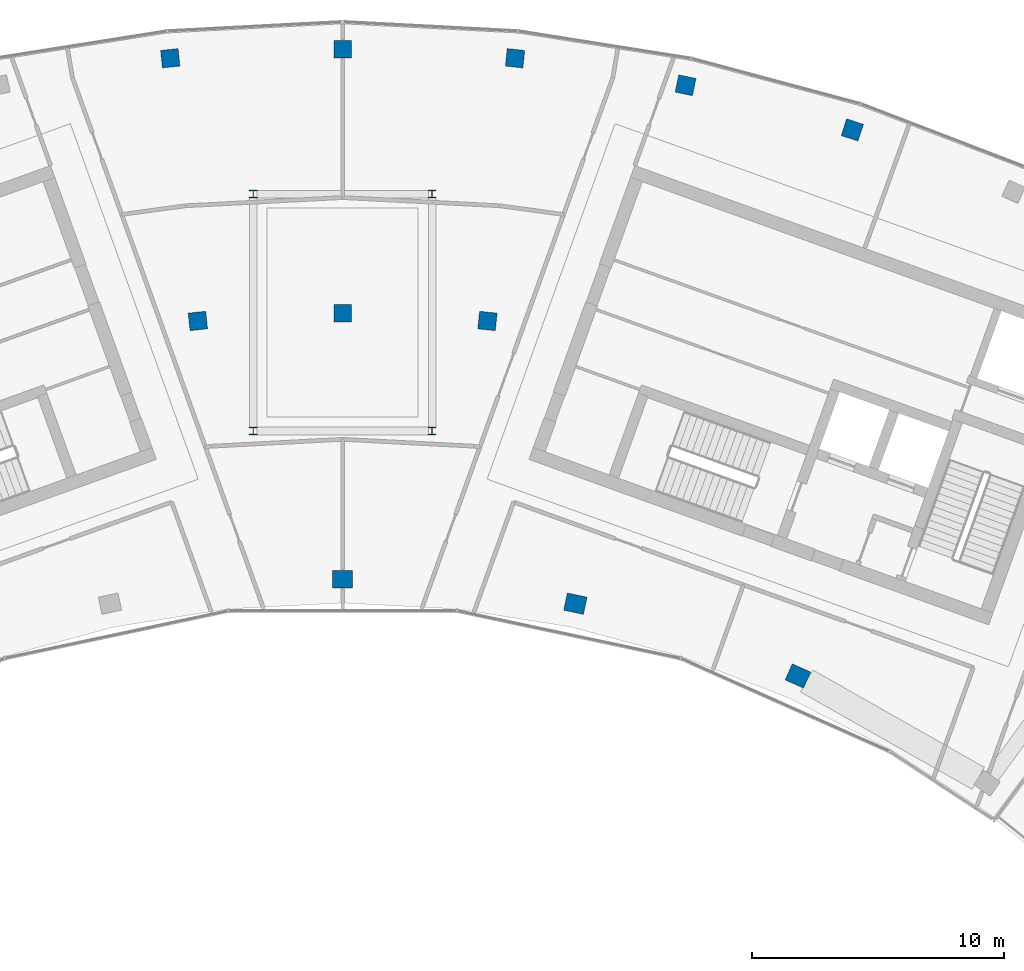
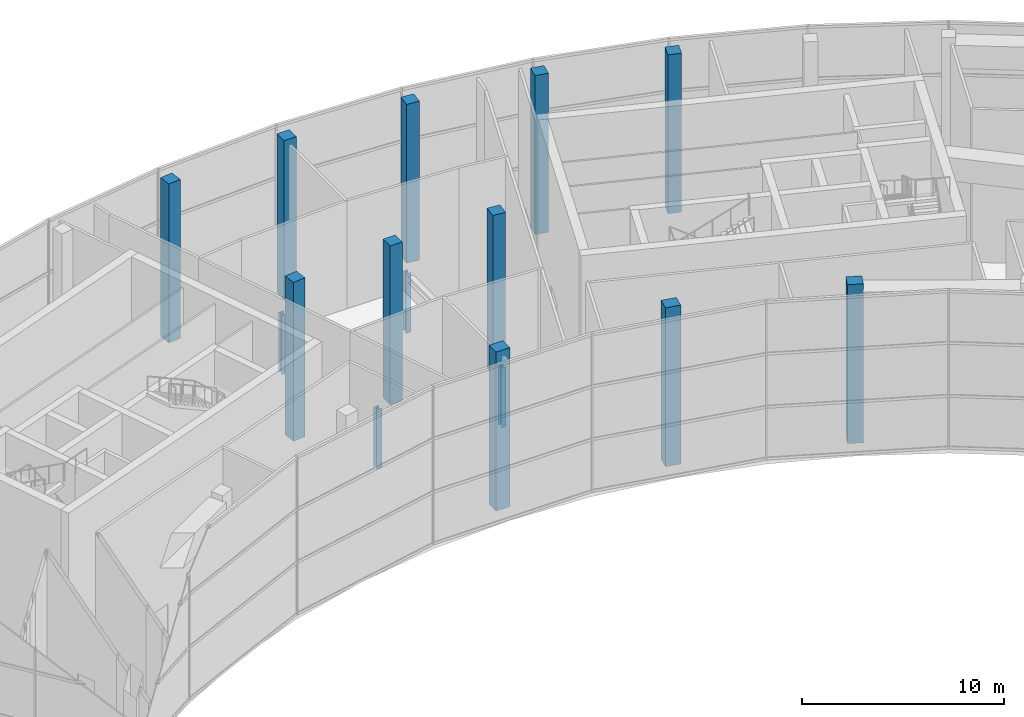
# One storey, part 2 of 20: 15 columns.
"""IFC4 building model written with IfcOpenShell, lengths in metres."""

from ifc_helpers import new_model, si_unit, direction, frame, origin, origin_2d, place, context, subcontext, project, spatial, rectangle, i_section, extrude, material, material_profile, profile_set, type_object, element, save


model = new_model("IFC4")

# Units and contexts
model_context = context("Model", 3, precision=1e-05, world=origin(), true_north=direction((0.0, 1.0)))
body_context = subcontext(model_context, "Body", "Model", "MODEL_VIEW")
ifc_project = project(units=[si_unit("LENGTHUNIT", "METRE"), si_unit("AREAUNIT", "SQUARE_METRE"), si_unit("VOLUMEUNIT", "CUBIC_METRE"), si_unit("PLANEANGLEUNIT", "RADIAN"), si_unit("MASSUNIT", "GRAM", prefix="KILO")], contexts=[model_context])

# Site, building, storey
site_placement = place(None, origin())
site = spatial("IfcSite", under=ifc_project, at=site_placement, CompositionType="ELEMENT")
building_placement = place(site_placement, origin())
building = spatial("IfcBuilding", under=site, at=building_placement, Name="Stone Belt Terrace Tower", CompositionType="ELEMENT")
storey_placement = place(building_placement, frame((0.0, 0.0, 323.0)))
storey = spatial("IfcBuildingStorey", under=building, at=storey_placement, Name="L78", CompositionType="ELEMENT", Elevation=323.0)

# Columns
ifc_material_1 = material(Name="Concrete B60", Category="concrete")
ifc_material_profile_1 = material_profile(ifc_material_1, rectangle(XDim=0.699951171875, YDim=0.699951171875, at=origin_2d()), Name="RC 700x700")
ifc_profile_set_1 = profile_set([ifc_material_profile_1], Name="Concrete B60")
column_type_1 = type_object("IfcColumnType", Name="Column RC 700x700 B60", PredefinedType="COLUMN", material=ifc_profile_set_1)
for number, where, z_axis, x_axis, name in (
    (1, (-5.7490234375, 54.69873046875, 0.0), (0.0, 0.0, 1.0), (0.994521895368, 0.104528463268, 0.0), "Column L78 Q21"),
    (2, (0.0, 55.0, 0.0), (0.0, 0.0, 1.0), (1.0, 0.0, 0.0), "Column L78 Q22"),
    (3, (5.7490234375, 54.69873046875, 0.0), (0.0, 0.0, 1.0), (0.994521895368, -0.104528463268, 0.0), "Column L78 Q23"),
    (4, (-6.845458984375, 65.130126953125, 0.0), (0.0, 0.0, 1.0), (0.994521895368, 0.104528463268, 0.0), "Column L78 R21"),
    (5, (0.0, 65.489013671875, 0.0), (0.0, 0.0, 1.0), (1.0, 0.0, 0.0), "Column L78 R22"),
    (6, (6.845458984375, 65.130126953125, 0.0), (0.0, 0.0, 1.0), (0.994521895368, -0.104528463268, 0.0), "Column L78 R23"),
    (7, (13.615966796875, 64.057861328125, 0.0), (0.0, 0.0, 1.0), (0.978147600734, -0.207911690818, 0.0), "Column L78 R24"),
    (8, (20.2373046875, 62.28369140625, 0.0), (0.0, 0.0, 1.0), (0.951056516295, -0.309016994375, 0.0), "Column L78 R25"),
):
    element("IfcColumn", number, at=place(storey_placement, frame(where, z_axis=z_axis, x_axis=x_axis)), inside=storey, type_object=column_type_1, Name=name, PredefinedType="COLUMN", context=body_context, shape_type="SweptSolid", body=[
        extrude(rectangle(XDim=0.699951171875, YDim=0.699951171875, at=origin_2d()), origin(), (0.0, 0.0, 1.0), 9.60009765625),
    ])
ifc_material_profile_2 = material_profile(ifc_material_1, rectangle(XDim=0.800048828125, YDim=0.699951171875, at=origin_2d()), Name="RC 800x700")
ifc_profile_set_2 = profile_set([ifc_material_profile_2], Name="Concrete B60")
column_type_2 = type_object("IfcColumnType", Name="Column RC 800x700 B60", PredefinedType="COLUMN", material=ifc_profile_set_2)
for number, where, z_axis, x_axis, name in (
    (9, (0.0, 44.445068359375, 0.0), (0.0, 0.0, 1.0), (1.0, 0.0, 0.0), "Column L78 P22"),
    (10, (9.240478515625, 43.473876953125, 0.0), (0.0, 0.0, 1.0), (0.978147600734, -0.207911690818, 0.0), "Column L78 P24"),
    (11, (18.077392578125, 40.6025390625, 0.0), (0.0, 0.0, 1.0), (0.913545457643, -0.406736643076, 0.0), "Column L78 P26"),
):
    element("IfcColumn", number, at=place(storey_placement, frame(where, z_axis=z_axis, x_axis=x_axis)), inside=storey, type_object=column_type_2, Name=name, PredefinedType="COLUMN", context=body_context, shape_type="SweptSolid", body=[
        extrude(rectangle(XDim=0.800048828125, YDim=0.699951171875, at=origin_2d()), origin(), (0.0, 0.0, 1.0), 9.60009765625),
    ])
ifc_material_2 = material(Name="Structural steel C345", Category="steel")
ifc_material_profile_3 = material_profile(ifc_material_2, i_section(OverallWidth=0.300048828125, OverallDepth=0.300048828125, WebThickness=0.010009765625, FlangeThickness=0.014892578125, at=origin_2d()), Name="I 30K2")
ifc_profile_set_3 = profile_set([ifc_material_profile_3], Name="Structural steel C345")
column_type_3 = type_object("IfcColumnType", Name="Damper restraint post I 30K2", PredefinedType="COLUMN", material=ifc_profile_set_3)
for number, where, z_axis, x_axis, name in (
    (12, (-3.550048828125, 50.330810546875, 0.0), (0.0, 0.0, 1.0), (1.0, 0.0, 0.0), "Damper restraint post 1"),
    (13, (3.550048828125, 50.330810546875, 0.0), (0.0, 0.0, 1.0), (1.0, 0.0, 0.0), "Damper restraint post 2"),
    (14, (3.550048828125, 59.739990234375, 0.0), (0.0, 0.0, 1.0), (1.0, 0.0, 0.0), "Damper restraint post 3"),
    (15, (-3.550048828125, 59.739990234375, 0.0), (0.0, 0.0, 1.0), (1.0, 0.0, 0.0), "Damper restraint post 4"),
):
    element("IfcColumn", number, at=place(storey_placement, frame(where, z_axis=z_axis, x_axis=x_axis)), inside=storey, type_object=column_type_3, Name=name, PredefinedType="COLUMN", context=body_context, shape_type="SweptSolid", body=[
        extrude(i_section(OverallWidth=0.300048828125, OverallDepth=0.300048828125, WebThickness=0.010009765625, FlangeThickness=0.014892578125, at=origin_2d()), origin(), (0.0, 0.0, 1.0), 3.60009765625),
    ])

save(model, "model.ifc")
